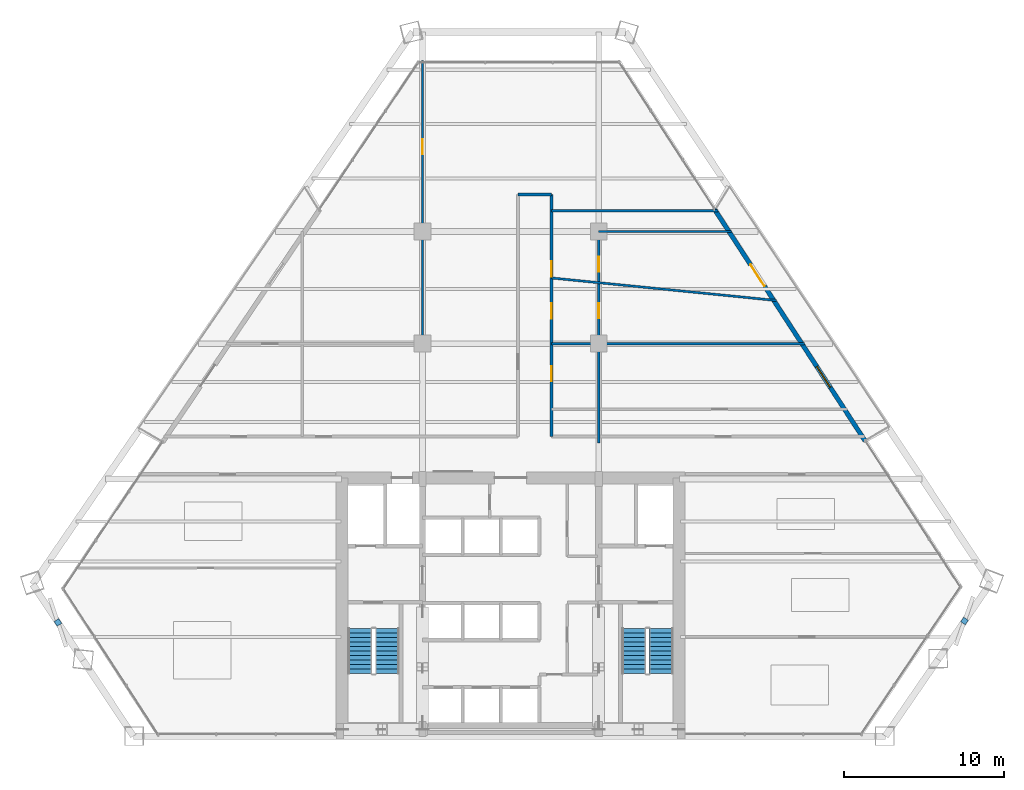
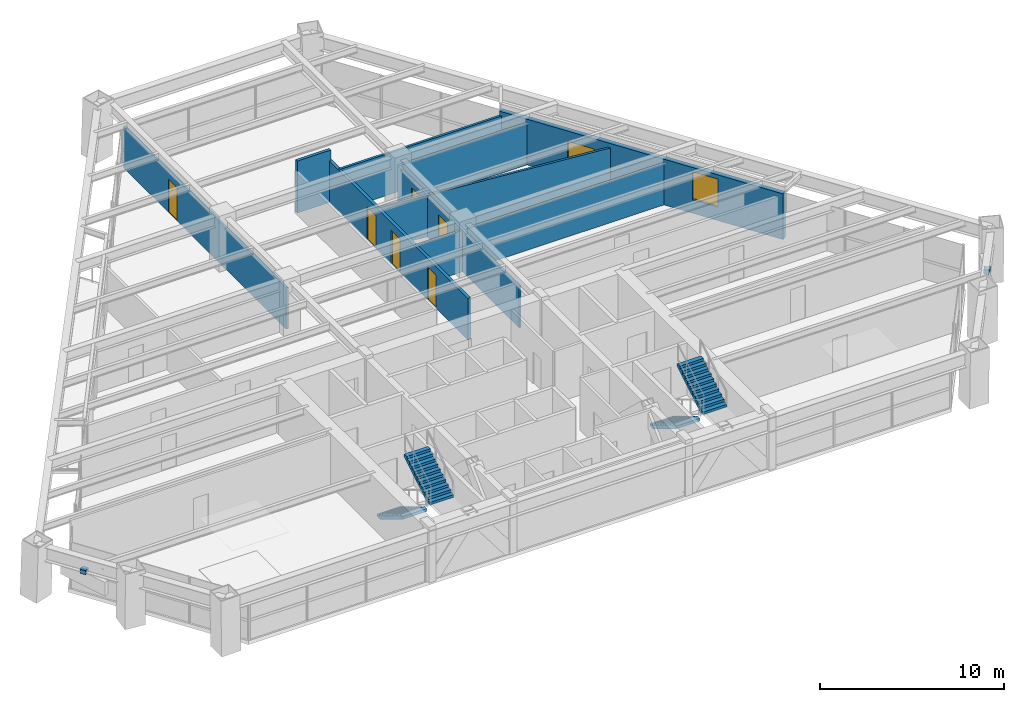
# One storey, part 12 of 14: 9 walls, 7 doors, 4 stair flights, 2 discrete accessories, 1 window, 8 openings, 2 elements without a shape of their own.
"""IFC4 building model written with IfcOpenShell, lengths in metres."""

import ifcopenshell
import ifcopenshell.guid

model = None  # the IFC model being written
_history = None  # IfcOwnerHistory: only IFC2X3 demands one
_inside = {}  # id of a spatial element -> (the spatial element, [elements in it])
_under = {}  # id of a project, library or spatial element -> (it, [spatial elements below it])
_declared = {}  # id of a project -> (the project, [libraries it declares])
_typed = {}  # id of a type object -> (the type object, [elements of that type])
_made_of = {}  # id of a material, layer set ... -> (it, [elements and type objects made of it])


def new_model(schema):
    """Start an empty IFC model of exactly this schema.

    Asked for "IFC4X3", IfcOpenShell would pick the latest addendum, in which some entities
    have other attributes; the version numbers below select the first issue.
    IFC2X3 requires an IfcOwnerHistory on every rooted entity: one is made here for all.
    """
    global model, _history
    if schema == "IFC4X3":
        model = ifcopenshell.file(schema_version=(4, 3, 0, 0))
    else:
        model = ifcopenshell.file(schema=schema)
    _inside.clear()
    _under.clear()
    _declared.clear()
    _typed.clear()
    _made_of.clear()
    _history = None
    if model.schema == "IFC2X3":
        org = make("IfcOrganization", Name="unknown")
        user = make(
            "IfcPersonAndOrganization",
            ThePerson=make("IfcPerson", FamilyName="unknown"),
            TheOrganization=org,
        )
        app = make(
            "IfcApplication",
            ApplicationDeveloper=org,
            Version="unknown",
            ApplicationFullName="unknown",
            ApplicationIdentifier="unknown",
        )
        _history = make(
            "IfcOwnerHistory",
            OwningUser=user,
            OwningApplication=app,
            ChangeAction="ADDED",
            CreationDate=0,
        )
    return model


def make(cls, **values):
    """One entity of the class cls with the attributes given. An attribute that is None is left unset."""
    return model.create_entity(
        cls, **{name: value for name, value in values.items() if value is not None}
    )


def rooted(cls, **values):
    """An entity with a GlobalId (a new one), such as an element, a storey or a relation."""
    return make(cls, GlobalId=ifcopenshell.guid.new(), OwnerHistory=_history, **values)


def si_unit(unit_type, name, prefix=None):
    """IfcSIUnit, for example si_unit("LENGTHUNIT", "METRE", prefix="MILLI")."""
    return make("IfcSIUnit", UnitType=unit_type, Prefix=prefix, Name=name)


def assignment(units):
    """IfcUnitAssignment: the units of a project."""
    return None if units is None else make("IfcUnitAssignment", Units=units)


def point(xyz):
    """IfcCartesianPoint."""
    return None if xyz is None else make("IfcCartesianPoint", Coordinates=xyz)


def direction(xyz):
    """IfcDirection."""
    return None if xyz is None else make("IfcDirection", DirectionRatios=xyz)


def frame(location, z_axis=None, x_axis=None):
    """IfcAxis2Placement3D, a coordinate frame: its origin and axes. An axis left out is left unset."""
    return make(
        "IfcAxis2Placement3D",
        Location=point(location),
        Axis=direction(z_axis),
        RefDirection=direction(x_axis),
    )


def frame_2d(location, x_axis=None):
    """IfcAxis2Placement2D, a coordinate frame in the plane: its origin and x axis."""
    return make(
        "IfcAxis2Placement2D", Location=point(location), RefDirection=direction(x_axis)
    )


def origin():
    """The frame at (0, 0, 0) with its axes left unset."""
    return frame((0.0, 0.0, 0.0))


def origin_2d():
    """The frame at (0, 0) in the plane with its x axis left unset."""
    return frame_2d((0.0, 0.0))


def place(relative_to, where):
    """IfcLocalPlacement: puts the frame where relative to a parent placement (None: the world)."""
    return make(
        "IfcLocalPlacement", PlacementRelTo=relative_to, RelativePlacement=where
    )


def context(
    kind, dimensions, precision=None, world=None, true_north=None, identifier=None
):
    """IfcGeometricRepresentationContext, for example the 3D "Model" context."""
    return make(
        "IfcGeometricRepresentationContext",
        ContextIdentifier=identifier,
        ContextType=kind,
        CoordinateSpaceDimension=dimensions,
        Precision=precision,
        WorldCoordinateSystem=world,
        TrueNorth=true_north,
    )


def subcontext(parent, identifier, kind, view, scale=None):
    """IfcGeometricRepresentationSubContext, for example "Body" below "Model"."""
    return make(
        "IfcGeometricRepresentationSubContext",
        ContextIdentifier=identifier,
        ContextType=kind,
        ParentContext=parent,
        TargetScale=scale,
        TargetView=view,
    )


def project(units=None, contexts=None):
    """IfcProject with its units and contexts."""
    return rooted(
        "IfcProject",
        Name="project",
        RepresentationContexts=contexts,
        UnitsInContext=assignment(units),
    )


def spatial(cls, under=None, at=None, **own):
    """A site, building, storey or space (cls), placed at a placement, below another one or the project."""
    s = rooted(cls, ObjectPlacement=at, **own)
    if under is not None:
        _under.setdefault(under.id(), (under, []))[1].append(s)
    return s


def polyline(points):
    """IfcPolyline through the points."""
    return make("IfcPolyline", Points=[point(p) for p in points])


def profile(cls, at=None, kind="AREA", **sizes):
    """A parametric profile (cls). Its sizes go by their IFC names, for example OverallWidth=200.0."""
    return make(cls, ProfileType=kind, Position=at, **sizes)


def rectangle(**sizes):
    """IfcRectangleProfileDef."""
    return profile("IfcRectangleProfileDef", **sizes)


def outline(outer, holes=None, kind="AREA"):
    """IfcArbitraryClosedProfileDef: a profile drawn as a closed curve; with holes, ...WithVoids."""
    if holes is None:
        return make("IfcArbitraryClosedProfileDef", ProfileType=kind, OuterCurve=outer)
    return make(
        "IfcArbitraryProfileDefWithVoids",
        ProfileType=kind,
        OuterCurve=outer,
        InnerCurves=holes,
    )


def extrude(swept, where, along, depth):
    """IfcExtrudedAreaSolid: the profile swept, set in the frame where, extruded along a direction by depth."""
    return make(
        "IfcExtrudedAreaSolid",
        SweptArea=swept,
        Position=where,
        ExtrudedDirection=direction(along),
        Depth=depth,
    )


def shape(context_of_items, identifier, shape_type, items):
    """IfcShapeRepresentation: the items that make up one representation, for example the "Body"."""
    return make(
        "IfcShapeRepresentation",
        ContextOfItems=context_of_items,
        RepresentationIdentifier=identifier,
        RepresentationType=shape_type,
        Items=items,
    )


def source(mapping_origin, context_of_items, identifier, shape_type, items):
    """IfcRepresentationMap: a shape defined once, which mapped items show again and again."""
    return make(
        "IfcRepresentationMap",
        MappingOrigin=mapping_origin,
        MappedRepresentation=shape(context_of_items, identifier, shape_type, items),
    )


def transform(
    local_origin,
    x_axis=None,
    y_axis=None,
    z_axis=None,
    scale=None,
    scale2=None,
    scale3=None,
    uniform=True,
):
    """IfcCartesianTransformationOperator3D, or its non-uniform kind. x_axis, y_axis, z_axis: its Axis1, 2, 3."""
    if uniform:
        return make(
            "IfcCartesianTransformationOperator3D",
            Axis1=direction(x_axis),
            Axis2=direction(y_axis),
            LocalOrigin=point(local_origin),
            Scale=scale,
            Axis3=direction(z_axis),
        )
    return make(
        "IfcCartesianTransformationOperator3DnonUniform",
        Axis1=direction(x_axis),
        Axis2=direction(y_axis),
        LocalOrigin=point(local_origin),
        Scale=scale,
        Axis3=direction(z_axis),
        Scale2=scale2,
        Scale3=scale3,
    )


def mapped(mapping_source, mapping_target):
    """IfcMappedItem: shows the shape of a source again, moved by a transform."""
    return make(
        "IfcMappedItem", MappingSource=mapping_source, MappingTarget=mapping_target
    )


def material(Name=None, Category=None):
    """IfcMaterial."""
    return make("IfcMaterial", Name=Name, Category=Category)


def layer(
    of_material, thickness, ventilated=None, Name=None, Category=None, Priority=None
):
    """IfcMaterialLayer: one layer of a wall or slab, of a material (None: an air gap)."""
    return make(
        "IfcMaterialLayer",
        Material=of_material,
        LayerThickness=thickness,
        IsVentilated=ventilated,
        Name=Name,
        Category=Category,
        Priority=Priority,
    )


def layer_set(layers, Name=None):
    """IfcMaterialLayerSet."""
    return make("IfcMaterialLayerSet", MaterialLayers=layers, LayerSetName=Name)


def made_of(thing, what):
    """Note that an element or type object is made of a material, layer set ...; save() writes the relation."""
    if what is not None:
        _made_of.setdefault(what.id(), (what, []))[1].append(thing)
    return thing


def type_object(cls, material=None, **own):
    """A type object (cls), such as IfcWallType, which elements share."""
    return made_of(rooted(cls, **own), material)


def type_shapes(of_type, sources):
    """Give a type object the sources (RepresentationMaps) that its elements show as mapped items."""
    of_type.RepresentationMaps = sources


def element(
    cls,
    number,
    at=None,
    inside=None,
    cuts=None,
    type_object=None,
    material=None,
    context=None,
    identifier="Body",
    shape_type=None,
    held_by="IfcProductDefinitionShape",
    body=None,
    shapes=None,
    **own,
):
    """One element of the class cls, such as IfcWall. Its Tag is "e" and its number.

    at: its placement. inside: the storey or other place that contains it. cuts: it is an
    opening in that element (IfcRelVoidsElement). A single representation is given by context,
    identifier, shape_type and body (its items); several are given by shapes. held_by: the class
    of the entity that holds the representations. save() writes the other relations.
    """
    e = rooted(cls, Tag="e%d" % number, ObjectPlacement=at, **own)
    if body is not None:
        shapes = [shape(context, identifier, shape_type, body)]
    if shapes is not None:
        e.Representation = make(held_by, Representations=shapes)
    if inside is not None:
        _inside.setdefault(inside.id(), (inside, []))[1].append(e)
    if cuts is not None:
        rooted(
            "IfcRelVoidsElement", RelatingBuildingElement=cuts, RelatedOpeningElement=e
        )
    if type_object is not None:
        _typed.setdefault(type_object.id(), (type_object, []))[1].append(e)
    return made_of(e, material)


def fill(opening, filler):
    """IfcRelFillsElement: the door or window that sits in an opening."""
    return rooted(
        "IfcRelFillsElement",
        RelatingOpeningElement=opening,
        RelatedBuildingElement=filler,
    )


def aggregate(whole, parts):
    """IfcRelAggregates: a whole, such as a stair, and the parts it consists of."""
    return rooted("IfcRelAggregates", RelatingObject=whole, RelatedObjects=parts)


def save(model, path):
    """Write the relations noted so far, then the file.

    IfcRelAggregates (storeys below a building ...), IfcRelContainedInSpatialStructure (elements
    in a storey), IfcRelDefinesByType, IfcRelAssociatesMaterial and IfcRelDeclares: one each for
    every whole, place, type object, material and project.
    """
    for whole, parts in _under.values():
        aggregate(whole, parts)
    for where, things in _inside.values():
        rooted(
            "IfcRelContainedInSpatialStructure",
            RelatedElements=things,
            RelatingStructure=where,
        )
    for kind, things in _typed.values():
        rooted("IfcRelDefinesByType", RelatedObjects=things, RelatingType=kind)
    for what, things in _made_of.values():
        rooted("IfcRelAssociatesMaterial", RelatedObjects=things, RelatingMaterial=what)
    for by, libraries in _declared.values():
        rooted("IfcRelDeclares", RelatingContext=by, RelatedDefinitions=libraries)
    model.write(path)


model = new_model("IFC4")

# Units and contexts
model_context = context("Model", 3, precision=1e-05, world=origin(), true_north=direction((0.0, 1.0)))
body_context = subcontext(model_context, "Body", "Model", "MODEL_VIEW")
ifc_project = project(units=[si_unit("LENGTHUNIT", "METRE"), si_unit("AREAUNIT", "SQUARE_METRE"), si_unit("VOLUMEUNIT", "CUBIC_METRE"), si_unit("PLANEANGLEUNIT", "RADIAN"), si_unit("MASSUNIT", "GRAM", prefix="KILO")], contexts=[model_context])

# Site, building, storey
site_placement = place(None, origin())
site = spatial("IfcSite", under=ifc_project, at=site_placement, CompositionType="ELEMENT")
building_placement = place(site_placement, origin())
building = spatial("IfcBuilding", under=site, at=building_placement, Name="Varnakhor Terracotta Tower", CompositionType="ELEMENT")
storey_placement = place(building_placement, frame((0.0, 0.0, 87.699951171875)))
storey = spatial("IfcBuildingStorey", under=building, at=storey_placement, Name="L21", CompositionType="ELEMENT", Elevation=87.699951171875)

# Wall, openings, doors
ifc_material_1 = material(Name="Fire-Rated Gypsum Stud Partition", Category="gypsum")
ifc_layer_1 = layer(ifc_material_1, 0.18505859375, Name="Fire-Rated Gypsum Stud Partition")
ifc_layer_set_1 = layer_set([ifc_layer_1], Name="Fire-Rated Gypsum Stud Partition")
wall_type_1 = type_object("IfcWallType", Name="WAL-CORR-185", PredefinedType="PARTITIONING", material=ifc_layer_set_1)
wall_1_placement = place(storey_placement, frame((2.550048828125, 18.699951171875, 0.0), z_axis=(0.0, 0.0, 1.0), x_axis=(0.0, 1.0, 0.0)))
wall_1 = element("IfcWall", 1, at=wall_1_placement, inside=storey, type_object=wall_type_1, Name="L21 Spine East Wall", PredefinedType="PARTITIONING", context=body_context, shape_type="SweptSolid", body=[
    extrude(rectangle(XDim=15.10009765625, YDim=0.18505859375, at=frame_2d((7.550048828125, 0.0))), origin(), (0.0, 0.0, 1.0), 2.7470703125),
])
opening_1_placement = place(wall_1_placement, frame((9.97998046875, 0.0, 0.0)))
opening_1 = element("IfcOpeningElement", 2, at=opening_1_placement, cuts=wall_1, Name="Opening DR-94", PredefinedType="OPENING", context=body_context, shape_type="SweptSolid", body=[
    extrude(rectangle(XDim=0.949951171875, YDim=2.199951171875, at=frame_2d((0.47509765625, 1.10009765625))), frame((0.0, 0.1025390625, 0.0), z_axis=(0.0, -1.0, 0.0), x_axis=(1.0, 0.0, 0.0)), (0.0, 0.0, 1.0), 0.205078125),
])
opening_2_placement = place(wall_1_placement, frame((3.446044921875, 0.0, 0.0)))
opening_2 = element("IfcOpeningElement", 3, at=opening_2_placement, cuts=wall_1, Name="Opening DR-94", PredefinedType="OPENING", context=body_context, shape_type="SweptSolid", body=[
    extrude(rectangle(XDim=0.949951171875, YDim=2.199951171875, at=frame_2d((0.47509765625, 1.10009765625))), frame((0.0, 0.1025390625, 0.0), z_axis=(0.0, -1.0, 0.0), x_axis=(1.0, 0.0, 0.0)), (0.0, 0.0, 1.0), 0.205078125),
])
opening_3_placement = place(wall_1_placement, frame((7.356689453125, 0.0, 0.0)))
opening_3 = element("IfcOpeningElement", 4, at=opening_3_placement, cuts=wall_1, Name="Opening DR-94", PredefinedType="OPENING", context=body_context, shape_type="SweptSolid", body=[
    extrude(rectangle(XDim=0.949951171875, YDim=2.199951171875, at=frame_2d((0.47509765625, 1.10009765625))), frame((0.0, 0.1025390625, 0.0), z_axis=(0.0, -1.0, 0.0), x_axis=(1.0, 0.0, 0.0)), (0.0, 0.0, 1.0), 0.205078125),
])
ifc_material_2 = material(Name="Acoustic Glazed-Vision Timber Office Door", Category="wood")
door_type_1 = type_object("IfcDoorType", Name="DR-OFF-950X2200", OperationType="NOTDEFINED", PredefinedType="DOOR", material=ifc_material_2)
shared_shape_1 = source(origin(), body_context, "Body", "SweptSolid", [
    extrude(rectangle(XDim=0.949951171875, YDim=2.199951171875, at=frame_2d((0.47509765625, 1.10009765625))), frame((0.0, 0.02490234375, 0.0), z_axis=(0.0, -1.0, 0.0), x_axis=(1.0, 0.0, 0.0)), (0.0, 0.0, 1.0), 0.050048828125),
])
type_shapes(door_type_1, [shared_shape_1])
door_1_placement = place(opening_1_placement, origin())
door_1 = element("IfcDoor", 5, at=door_1_placement, inside=storey, type_object=door_type_1, Name="L21 Spine East Door", OperationType="SINGLE_SWING_LEFT", OverallHeight=2.199951171875, OverallWidth=0.949951171875, PredefinedType="DOOR", context=body_context, shape_type="MappedRepresentation", body=[
    mapped(shared_shape_1, transform((0.0, 0.0, 0.0), scale=1.0)),
])
fill(opening_1, door_1)
door_2_placement = place(opening_2_placement, origin())
door_2 = element("IfcDoor", 6, at=door_2_placement, inside=storey, type_object=door_type_1, Name="L21 Advisory Office E2 B10 Door", OperationType="SINGLE_SWING_RIGHT", OverallHeight=2.199951171875, OverallWidth=0.949951171875, PredefinedType="DOOR", context=body_context, shape_type="MappedRepresentation", body=[
    mapped(shared_shape_1, transform((0.0, 0.0, 0.0), scale=1.0)),
])
fill(opening_2, door_2)
door_3_placement = place(opening_3_placement, origin())
door_3 = element("IfcDoor", 7, at=door_3_placement, inside=storey, type_object=door_type_1, Name="L21 Boardroom Apex B12 Door", OperationType="SINGLE_SWING_LEFT", OverallHeight=2.199951171875, OverallWidth=0.949951171875, PredefinedType="DOOR", context=body_context, shape_type="MappedRepresentation", body=[
    mapped(shared_shape_1, transform((0.0, 0.0, 0.0), scale=1.0)),
])
fill(opening_3, door_3)

# Wall
wall_2_placement = place(storey_placement, frame((0.449951171875, 33.800048828125, 0.0), z_axis=(0.0, 0.0, 1.0), x_axis=(1.0, 0.0, 0.0)))
element("IfcWall", 8, at=wall_2_placement, inside=storey, type_object=wall_type_1, Name="L21 Spine North End Wall", PredefinedType="PARTITIONING", context=body_context, shape_type="SweptSolid", body=[
    extrude(rectangle(XDim=2.10009765625, YDim=0.18505859375, at=frame_2d((1.050048828125, 0.0))), origin(), (0.0, 0.0, 1.0), 3.442138671875),
])

# Wall, openings, door, window
ifc_material_3 = material(Name="Extruded Architectural Terracotta Assembly", Category="masonry")
ifc_layer_2 = layer(ifc_material_3, 0.280029296875, Name="Extruded Architectural Terracotta Assembly")
ifc_layer_set_2 = layer_set([ifc_layer_2], Name="Extruded Architectural Terracotta Assembly")
wall_type_2 = type_object("IfcWallType", Name="WAL-EXT-TERRACOTTA-280", PredefinedType="SOLIDWALL", material=ifc_layer_set_2)
wall_3_placement = place(storey_placement, frame((12.719482421875, 32.8994140625, 0.0), z_axis=(0.0, 0.0, 1.0), x_axis=(0.545043573971, -0.838407718519, 0.0)))
wall_3 = element("IfcWall", 9, at=wall_3_placement, inside=storey, type_object=wall_type_2, Name="L21 E Loggia Insulated Terracotta Wall", PredefinedType="SOLIDWALL", context=body_context, shape_type="SweptSolid", body=[
    extrude(rectangle(XDim=17.248291015625, YDim=0.280029296875, at=frame_2d((8.6240234375, 0.0))), origin(), (0.0, 0.0, 1.0), 3.030029296875),
])
opening_4_placement = place(wall_3_placement, frame((4.1396484375, 0.0, 0.0)))
opening_4 = element("IfcOpeningElement", 10, at=opening_4_placement, cuts=wall_3, Name="Opening DR-62", PredefinedType="OPENING", context=body_context, shape_type="SweptSolid", body=[
    extrude(rectangle(XDim=1.60009765625, YDim=2.35009765625, at=frame_2d((0.800048828125, 1.175048828125))), frame((0.0, 0.14990234375, 0.0), z_axis=(0.0, -1.0, 0.0), x_axis=(1.0, 0.0, 0.0)), (0.0, 0.0, 1.0), 0.300048828125),
])
opening_5_placement = place(wall_3_placement, frame((11.72900390625, 0.0, 0.89990234375)))
opening_5 = element("IfcOpeningElement", 11, at=opening_5_placement, cuts=wall_3, Name="Opening WN-57", PredefinedType="OPENING", context=body_context, shape_type="SweptSolid", body=[
    extrude(rectangle(XDim=1.550048828125, YDim=1.85009765625, at=frame_2d((0.77490234375, 0.925048828125))), frame((0.0, 0.14990234375, 0.0), z_axis=(0.0, -1.0, 0.0), x_axis=(1.0, 0.0, 0.0)), (0.0, 0.0, 1.0), 0.300048828125),
])
ifc_material_4 = material(Name="Thermally Broken Sliding Glass Loggia Door", Category="glass")
door_type_2 = type_object("IfcDoorType", Name="DR-EXT-LOGGIA-1600X2350", OperationType="NOTDEFINED", PredefinedType="DOOR", material=ifc_material_4)
shared_shape_2 = source(origin(), body_context, "Body", "SweptSolid", [
    extrude(rectangle(XDim=1.60009765625, YDim=2.35009765625, at=frame_2d((0.800048828125, 1.175048828125))), frame((0.0, 0.02490234375, 0.0), z_axis=(0.0, -1.0, 0.0), x_axis=(1.0, 0.0, 0.0)), (0.0, 0.0, 1.0), 0.050048828125),
])
type_shapes(door_type_2, [shared_shape_2])
door_4_placement = place(opening_4_placement, origin())
door_4 = element("IfcDoor", 12, at=door_4_placement, inside=storey, type_object=door_type_2, Name="L21 E Recessed Loggia Sliding Door", OperationType="SLIDING_TO_RIGHT", OverallHeight=2.35009765625, OverallWidth=1.60009765625, PredefinedType="DOOR", context=body_context, shape_type="MappedRepresentation", body=[
    mapped(shared_shape_2, transform((0.0, 0.0, 0.0), scale=1.0)),
])
fill(opening_4, door_4)
ifc_material_5 = material(Name="Solar-Control Low-E Insulated Glass Unit", Category="glass")
window_type = type_object("IfcWindowType", Name="WIN-OFF-1650X2100", PartitioningType="SINGLE_PANEL", PredefinedType="WINDOW", material=ifc_material_5)
shared_shape_3 = source(origin(), body_context, "Body", "SweptSolid", [
    extrude(rectangle(XDim=1.550048828125, YDim=1.85009765625, at=frame_2d((0.77490234375, 0.925048828125))), frame((0.0, 0.030029296875, 0.0), z_axis=(0.0, -1.0, 0.0), x_axis=(1.0, 0.0, 0.0)), (0.0, 0.0, 1.0), 0.06005859375),
])
type_shapes(window_type, [shared_shape_3])
window_placement = place(opening_5_placement, origin())
window = element("IfcWindow", 13, at=window_placement, inside=storey, type_object=window_type, Name="L21 E Facet Punched Window", OverallHeight=1.85009765625, OverallWidth=1.550048828125, PartitioningType="SINGLE_PANEL", PredefinedType="WINDOW", context=body_context, shape_type="MappedRepresentation", body=[
    mapped(shared_shape_3, transform((0.0, 0.0, 0.0), scale=1.0)),
])
fill(opening_5, window)

# Wall, opening, door
ifc_material_6 = material(Name="Acoustic Metal-Stud Partition", Category="gypsum")
ifc_layer_3 = layer(ifc_material_6, 0.139892578125, Name="Acoustic Metal-Stud Partition")
ifc_layer_set_3 = layer_set([ifc_layer_3], Name="Acoustic Metal-Stud Partition")
wall_type_3 = type_object("IfcWallType", Name="WAL-PART-140", PredefinedType="PARTITIONING", material=ifc_layer_set_3)
wall_4_placement = place(storey_placement, frame((-5.5, 24.5, 0.0), z_axis=(0.0, 0.0, 1.0), x_axis=(0.0, 1.0, 0.0)))
wall_4 = element("IfcWall", 14, at=wall_4_placement, inside=storey, type_object=wall_type_3, Name="L21 West Upper Column Wall", PredefinedType="PARTITIONING", context=body_context, shape_type="SweptSolid", body=[
    extrude(rectangle(XDim=17.66845703125, YDim=0.139892578125, at=frame_2d((8.834228515625, 0.0))), origin(), (0.0, 0.0, 1.0), 2.7470703125),
])
opening_6_placement = place(wall_4_placement, frame((11.82470703125, 0.0, 0.0)))
opening_6 = element("IfcOpeningElement", 15, at=opening_6_placement, cuts=wall_4, Name="Opening DR-94", PredefinedType="OPENING", context=body_context, shape_type="SweptSolid", body=[
    extrude(rectangle(XDim=0.949951171875, YDim=2.199951171875, at=frame_2d((0.47509765625, 1.10009765625))), frame((0.0, 0.080078125, 0.0), z_axis=(0.0, -1.0, 0.0), x_axis=(1.0, 0.0, 0.0)), (0.0, 0.0, 1.0), 0.159912109375),
])
door_5_placement = place(opening_6_placement, origin())
door_5 = element("IfcDoor", 16, at=door_5_placement, inside=storey, type_object=door_type_1, Name="L21 Client Lounge Door", OperationType="SINGLE_SWING_LEFT", OverallHeight=2.199951171875, OverallWidth=0.949951171875, PredefinedType="DOOR", context=body_context, shape_type="MappedRepresentation", body=[
    mapped(shared_shape_1, transform((0.0, 0.0, 0.0), scale=1.0)),
])
fill(opening_6, door_5)

# Wall, openings, doors
wall_5_placement = place(storey_placement, frame((5.5, 18.300048828125, 0.0), z_axis=(0.0, 0.0, 1.0), x_axis=(0.0, 1.0, 0.0)))
wall_5 = element("IfcWall", 17, at=wall_5_placement, inside=storey, type_object=wall_type_3, Name="L21 East Lower Column Wall", PredefinedType="PARTITIONING", context=body_context, shape_type="SweptSolid", body=[
    extrude(rectangle(XDim=13.199951171875, YDim=0.139892578125, at=frame_2d((6.60009765625, 0.0))), origin(), (0.0, 0.0, 1.0), 2.7470703125),
])
opening_7_placement = place(wall_5_placement, frame((10.6875, 0.0, 0.0)))
opening_7 = element("IfcOpeningElement", 18, at=opening_7_placement, cuts=wall_5, Name="Opening DR-94", PredefinedType="OPENING", context=body_context, shape_type="SweptSolid", body=[
    extrude(rectangle(XDim=0.949951171875, YDim=2.199951171875, at=frame_2d((0.47509765625, 1.10009765625))), frame((0.0, 0.080078125, 0.0), z_axis=(0.0, -1.0, 0.0), x_axis=(1.0, 0.0, 0.0)), (0.0, 0.0, 1.0), 0.159912109375),
])
opening_8_placement = place(wall_5_placement, frame((7.775390625, 0.0, 0.0)))
opening_8 = element("IfcOpeningElement", 19, at=opening_8_placement, cuts=wall_5, Name="Opening DR-94", PredefinedType="OPENING", context=body_context, shape_type="SweptSolid", body=[
    extrude(rectangle(XDim=0.949951171875, YDim=2.199951171875, at=frame_2d((0.47509765625, 1.10009765625))), frame((0.0, 0.080078125, 0.0), z_axis=(0.0, -1.0, 0.0), x_axis=(1.0, 0.0, 0.0)), (0.0, 0.0, 1.0), 0.159912109375),
])
door_6_placement = place(opening_7_placement, origin())
door_6 = element("IfcDoor", 20, at=door_6_placement, inside=storey, type_object=door_type_1, Name="L21 Pantry Kitchenette Door", OperationType="SINGLE_SWING_RIGHT", OverallHeight=2.199951171875, OverallWidth=0.949951171875, PredefinedType="DOOR", context=body_context, shape_type="MappedRepresentation", body=[
    mapped(shared_shape_1, transform((0.0, 0.0, 0.0), scale=1.0)),
])
fill(opening_7, door_6)
door_7_placement = place(opening_8_placement, origin())
door_7 = element("IfcDoor", 21, at=door_7_placement, inside=storey, type_object=door_type_1, Name="L21 Boardroom Apex Door", OperationType="SINGLE_SWING_LEFT", OverallHeight=2.199951171875, OverallWidth=0.949951171875, PredefinedType="DOOR", context=body_context, shape_type="MappedRepresentation", body=[
    mapped(shared_shape_1, transform((0.0, 0.0, 0.0), scale=1.0)),
])
fill(opening_8, door_7)

# Walls
wall_6_placement = place(storey_placement, frame((5.5, 31.5, 0.0), z_axis=(0.0, 0.0, 1.0), x_axis=(1.0, 0.0, 0.0)))
element("IfcWall", 22, at=wall_6_placement, inside=storey, type_object=wall_type_3, Name="L21 North East Column Wall", PredefinedType="PARTITIONING", context=body_context, shape_type="SweptSolid", body=[
    extrude(rectangle(XDim=8.284423828125, YDim=0.139892578125, at=frame_2d((4.14208984375, 0.0))), origin(), (0.0, 0.0, 1.0), 2.7470703125),
])
wall_7_placement = place(storey_placement, frame((2.550048828125, 24.5, 0.0), z_axis=(0.0, 0.0, 1.0), x_axis=(1.0, 0.0, 0.0)))
element("IfcWall", 23, at=wall_7_placement, inside=storey, type_object=wall_type_3, Name="L21 East Wing Cut 2", PredefinedType="PARTITIONING", context=body_context, shape_type="SweptSolid", body=[
    extrude(rectangle(XDim=15.78515625, YDim=0.139892578125, at=frame_2d((7.892578125, 0.0))), origin(), (0.0, 0.0, 1.0), 2.7470703125),
])
wall_8_placement = place(storey_placement, frame((2.550048828125, 28.60009765625, 0.0), z_axis=(0.0, 0.0, 1.0), x_axis=(0.995018663193, -0.099688815304, 0.0)))
element("IfcWall", 24, at=wall_8_placement, inside=storey, type_object=wall_type_3, Name="L21 East Wing Cut 3", PredefinedType="PARTITIONING", context=body_context, shape_type="SweptSolid", body=[
    extrude(rectangle(XDim=14.10400390625, YDim=0.139892578125, at=frame_2d((7.052001953125, 0.0))), origin(), (0.0, 0.0, 1.0), 2.7470703125),
])
wall_9_placement = place(storey_placement, frame((2.550048828125, 32.800048828125, 0.0), z_axis=(0.0, 0.0, 1.0), x_axis=(1.0, 0.0, 0.0)))
element("IfcWall", 25, at=wall_9_placement, inside=storey, type_object=wall_type_3, Name="L21 East Wing Cut 4", PredefinedType="PARTITIONING", context=body_context, shape_type="SweptSolid", body=[
    extrude(rectangle(XDim=10.389404296875, YDim=0.139892578125, at=frame_2d((5.19482421875, 0.0))), origin(), (0.0, 0.0, 1.0), 2.7470703125),
])

# Stair, stair flights
ifc_material_7 = material(Name="Concrete C40/50", Category="concrete")
stair_type = type_object("IfcStairType", Name="STR-CORE-OFFICE-1500", PredefinedType="HALF_TURN_STAIR", material=ifc_material_7)
stair_1_placement = place(storey_placement, origin())
stair_1 = element("IfcStair", 26, at=stair_1_placement, inside=storey, type_object=stair_type, Name="L21 Core Exit Stair ST-1", PredefinedType="HALF_TURN_STAIR")
stair_flight_type = type_object("IfcStairFlightType", Name="FLT-CORE-1500", PredefinedType="STRAIGHT", material=ifc_material_7)
stair_flight_1_placement = place(storey_placement, frame((-9.39990234375, 6.7099609375, 0.0), z_axis=(0.0, 0.0, 1.0), x_axis=(0.0, -1.0, 0.0)))
stair_flight_1 = element("IfcStairFlight", 27, at=stair_flight_1_placement, type_object=stair_flight_type, Name="ST-1 flight 1", NumberOfRisers=11, NumberOfTreads=10, PredefinedType="STRAIGHT", RiserHeight=0.168181818, TreadLength=0.28, context=body_context, shape_type="SweptSolid", body=[
    extrude(outline(polyline([(0.0, 0.0), (0.0, 0.168212890625), (0.280029296875, 0.168212890625), (0.280029296875, 0.33642578125), (0.56005859375, 0.33642578125), (0.56005859375, 0.504638671875), (0.840087890625, 0.504638671875), (0.840087890625, 0.672607421875), (1.1201171875, 0.672607421875), (1.1201171875, 0.8408203125), (1.39990234375, 0.8408203125), (1.39990234375, 1.009033203125), (1.679931640625, 1.009033203125), (1.679931640625, 1.17724609375), (1.9599609375, 1.17724609375), (1.9599609375, 1.345458984375), (2.239990234375, 1.345458984375), (2.239990234375, 1.513671875), (2.52001953125, 1.513671875), (2.52001953125, 1.681884765625), (2.800048828125, 1.681884765625), (2.800048828125, 1.85009765625), (2.800048828125, 1.495361328125), (0.310546875, 0.0), (0.0, 0.0)])), frame((0.0, 0.75, 0.0), z_axis=(0.0, -1.0, 0.0), x_axis=(1.0, 0.0, 0.0)), (0.0, 0.0, 1.0), 1.5),
])
stair_flight_2_placement = place(storey_placement, frame((-7.699951171875, 3.909912109375, 1.85009765625), z_axis=(0.0, 0.0, 1.0), x_axis=(0.0, 1.0, 0.0)))
stair_flight_2 = element("IfcStairFlight", 28, at=stair_flight_2_placement, type_object=stair_flight_type, Name="ST-1 flight 2", NumberOfRisers=11, NumberOfTreads=10, PredefinedType="STRAIGHT", RiserHeight=0.168181818, TreadLength=0.28, context=body_context, shape_type="SweptSolid", body=[
    extrude(outline(polyline([(0.0, 0.0), (0.0, 0.168212890625), (0.280029296875, 0.168212890625), (0.280029296875, 0.33642578125), (0.56005859375, 0.33642578125), (0.56005859375, 0.504638671875), (0.840087890625, 0.504638671875), (0.840087890625, 0.672607421875), (1.1201171875, 0.672607421875), (1.1201171875, 0.8408203125), (1.39990234375, 0.8408203125), (1.39990234375, 1.009033203125), (1.679931640625, 1.009033203125), (1.679931640625, 1.17724609375), (1.9599609375, 1.17724609375), (1.9599609375, 1.345458984375), (2.239990234375, 1.345458984375), (2.239990234375, 1.513671875), (2.52001953125, 1.513671875), (2.52001953125, 1.681884765625), (2.800048828125, 1.681884765625), (2.800048828125, 1.85009765625), (2.800048828125, 1.495361328125), (0.310546875, 0.0), (0.0, 0.0)])), frame((0.0, 0.75, 0.0), z_axis=(0.0, -1.0, 0.0), x_axis=(1.0, 0.0, 0.0)), (0.0, 0.0, 1.0), 1.5),
])
aggregate(stair_1, [stair_flight_1, stair_flight_2])

stair_2_placement = place(storey_placement, origin())
stair_2 = element("IfcStair", 29, at=stair_2_placement, inside=storey, type_object=stair_type, Name="L21 Core Exit Stair ST-2", PredefinedType="HALF_TURN_STAIR")
stair_flight_3_placement = place(storey_placement, frame((7.699951171875, 6.7099609375, 0.0), z_axis=(0.0, 0.0, 1.0), x_axis=(0.0, -1.0, 0.0)))
stair_flight_3 = element("IfcStairFlight", 30, at=stair_flight_3_placement, type_object=stair_flight_type, Name="ST-2 flight 1", NumberOfRisers=11, NumberOfTreads=10, PredefinedType="STRAIGHT", RiserHeight=0.168181818, TreadLength=0.28, context=body_context, shape_type="SweptSolid", body=[
    extrude(outline(polyline([(0.0, 0.0), (0.0, 0.168212890625), (0.280029296875, 0.168212890625), (0.280029296875, 0.33642578125), (0.56005859375, 0.33642578125), (0.56005859375, 0.504638671875), (0.840087890625, 0.504638671875), (0.840087890625, 0.672607421875), (1.1201171875, 0.672607421875), (1.1201171875, 0.8408203125), (1.39990234375, 0.8408203125), (1.39990234375, 1.009033203125), (1.679931640625, 1.009033203125), (1.679931640625, 1.17724609375), (1.9599609375, 1.17724609375), (1.9599609375, 1.345458984375), (2.239990234375, 1.345458984375), (2.239990234375, 1.513671875), (2.52001953125, 1.513671875), (2.52001953125, 1.681884765625), (2.800048828125, 1.681884765625), (2.800048828125, 1.85009765625), (2.800048828125, 1.495361328125), (0.310546875, 0.0), (0.0, 0.0)])), frame((0.0, 0.75, 0.0), z_axis=(0.0, -1.0, 0.0), x_axis=(1.0, 0.0, 0.0)), (0.0, 0.0, 1.0), 1.5),
])
stair_flight_4_placement = place(storey_placement, frame((9.39990234375, 3.909912109375, 1.85009765625), z_axis=(0.0, 0.0, 1.0), x_axis=(0.0, 1.0, 0.0)))
stair_flight_4 = element("IfcStairFlight", 31, at=stair_flight_4_placement, type_object=stair_flight_type, Name="ST-2 flight 2", NumberOfRisers=11, NumberOfTreads=10, PredefinedType="STRAIGHT", RiserHeight=0.168181818, TreadLength=0.28, context=body_context, shape_type="SweptSolid", body=[
    extrude(outline(polyline([(0.0, 0.0), (0.0, 0.168212890625), (0.280029296875, 0.168212890625), (0.280029296875, 0.33642578125), (0.56005859375, 0.33642578125), (0.56005859375, 0.504638671875), (0.840087890625, 0.504638671875), (0.840087890625, 0.672607421875), (1.1201171875, 0.672607421875), (1.1201171875, 0.8408203125), (1.39990234375, 0.8408203125), (1.39990234375, 1.009033203125), (1.679931640625, 1.009033203125), (1.679931640625, 1.17724609375), (1.9599609375, 1.17724609375), (1.9599609375, 1.345458984375), (2.239990234375, 1.345458984375), (2.239990234375, 1.513671875), (2.52001953125, 1.513671875), (2.52001953125, 1.681884765625), (2.800048828125, 1.681884765625), (2.800048828125, 1.85009765625), (2.800048828125, 1.495361328125), (0.310546875, 0.0), (0.0, 0.0)])), frame((0.0, 0.75, 0.0), z_axis=(0.0, -1.0, 0.0), x_axis=(1.0, 0.0, 0.0)), (0.0, 0.0, 1.0), 1.5),
])
aggregate(stair_2, [stair_flight_3, stair_flight_4])

# Discrete accessories
ifc_material_8 = material(Name="Stainless Steel Fixing Bracket", Category="steel")
discrete_accessory_type = type_object("IfcDiscreteAccessoryType", Name="BRACKET-TERRACOTTA-SCREEN", PredefinedType="BRACKET", material=ifc_material_8)
shared_shape_4 = source(origin(), body_context, "Body", "SweptSolid", [
    extrude(rectangle(XDim=0.35009765625, YDim=0.35009765625, at=origin_2d()), origin(), (0.0, 0.0, 1.0), 0.280029296875),
])
type_shapes(discrete_accessory_type, [shared_shape_4])
for number, where, z_axis, x_axis, name in (
    (32, (28.332763671875, 7.18505859375, 2.39306640625), (0.0, 0.0, 1.0), (0.56660759203, 0.823987764869, 0.0), "L21 E Screen Fixing Bracket"),
    (33, (-28.2607421875, 7.096435546875, 2.39306640625), (0.0, 0.0, 1.0), (0.55292627198, -0.833230182935, 0.0), "L21 W Screen Fixing Bracket"),
):
    element("IfcDiscreteAccessory", number, at=place(storey_placement, frame(where, z_axis=z_axis, x_axis=x_axis)), inside=storey, type_object=discrete_accessory_type, Name=name, PredefinedType="BRACKET", context=body_context, shape_type="MappedRepresentation", body=[
        mapped(shared_shape_4, transform((0.0, 0.0, 0.0), scale=1.0)),
    ])

save(model, "model.ifc")
